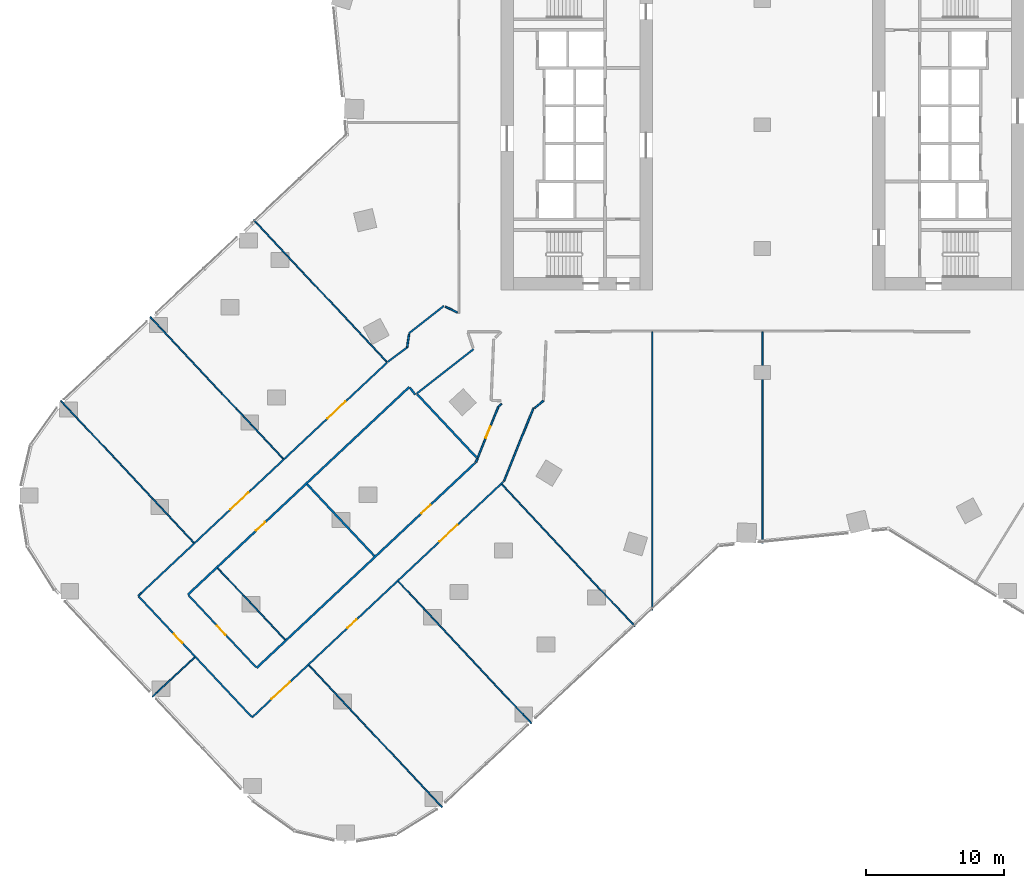
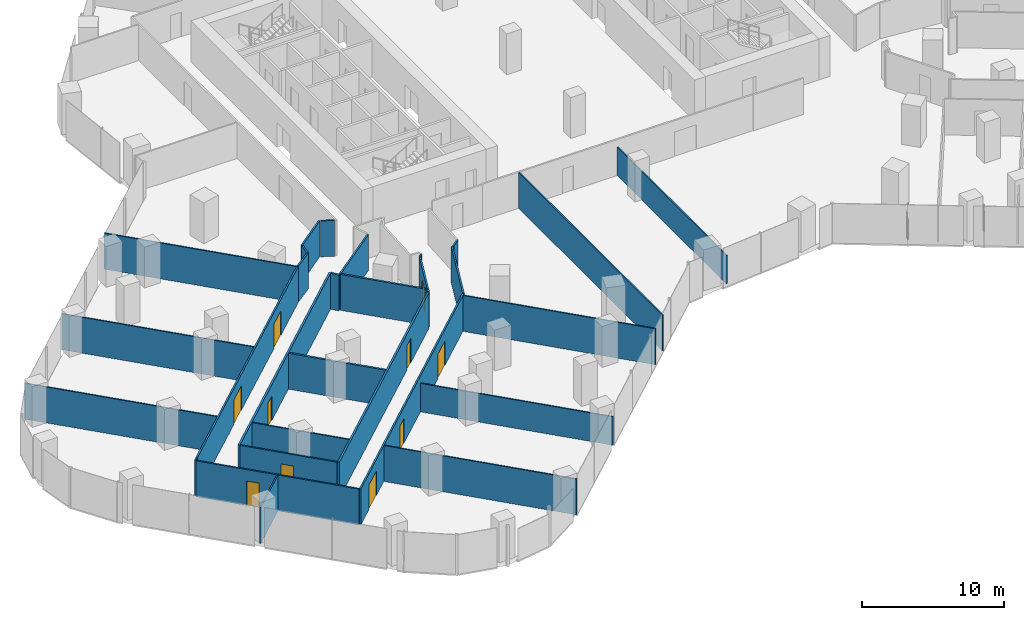
# One storey, part 27 of 33: 30 walls, 10 doors, 10 openings.
"""IFC4 building model written with IfcOpenShell, lengths in metres."""

from ifc_helpers import new_model, si_unit, direction, frame, frame_2d, origin, place, context, subcontext, project, spatial, rectangle, extrude, material, layer, layer_set, type_object, element, fill, save


model = new_model("IFC4")

# Units and contexts
model_context = context("Model", 3, precision=1e-05, world=origin(), true_north=direction((0.0, 1.0)))
body_context = subcontext(model_context, "Body", "Model", "MODEL_VIEW")
ifc_project = project(units=[si_unit("LENGTHUNIT", "METRE"), si_unit("AREAUNIT", "SQUARE_METRE"), si_unit("VOLUMEUNIT", "CUBIC_METRE"), si_unit("PLANEANGLEUNIT", "RADIAN"), si_unit("MASSUNIT", "GRAM", prefix="KILO")], contexts=[model_context])

# Site, building, storey
site_placement = place(None, origin())
site = spatial("IfcSite", under=ifc_project, at=site_placement, CompositionType="ELEMENT")
building_placement = place(site_placement, origin())
building = spatial("IfcBuilding", under=site, at=building_placement, Name="Orlundy Tower", CompositionType="ELEMENT")
storey_placement = place(building_placement, frame((0.0, 0.0, 51.300048828125)))
storey = spatial("IfcBuildingStorey", under=building, at=storey_placement, Name="L11", CompositionType="ELEMENT", Elevation=51.300048828125)

# Walls
ifc_material_1 = material(Name="Gypsum board partition")
ifc_layer_1 = layer(ifc_material_1, 0.10009765625)
ifc_layer_set_1 = layer_set([ifc_layer_1], Name="Floor partition 100")
wall_type_1 = type_object("IfcWallType", Name="Floor partition 100", PredefinedType="PARTITIONING", material=ifc_layer_set_1)
wall_1_placement = place(storey_placement, frame((-50.97900390625, -20.052001953125, 0.0), z_axis=(0.0, 0.0, 1.0), x_axis=(0.684149048077, -0.729342224209, 0.0)))
element("IfcWall", 1, at=wall_1_placement, inside=storey, type_object=wall_type_1, Name="wall-int-L11-007", PredefinedType="PARTITIONING", context=body_context, shape_type="SweptSolid", body=[
    extrude(rectangle(XDim=14.137451171875, YDim=0.10009765625, at=frame_2d((7.06884765625, 0.0))), origin(), (0.0, 0.0, 1.0), 3.079833984375),
])
wall_2_placement = place(storey_placement, frame((-39.570068359375, -32.215087890625, 0.0), z_axis=(0.0, 0.0, 1.0), x_axis=(0.684241001323, -0.729255957884, 0.0)))
element("IfcWall", 2, at=wall_2_placement, inside=storey, type_object=wall_type_1, Name="wall-int-L11-008", PredefinedType="PARTITIONING", context=body_context, shape_type="SweptSolid", body=[
    extrude(rectangle(XDim=7.148193359375, YDim=0.10009765625, at=frame_2d((3.57421875, 0.0))), origin(), (0.0, 0.0, 1.0), 3.079833984375),
])
wall_3_placement = place(storey_placement, frame((-32.943115234375, -39.281005859375, 0.0), z_axis=(0.0, 0.0, 1.0), x_axis=(0.684149048077, -0.729342224209, 0.0)))
element("IfcWall", 3, at=wall_3_placement, inside=storey, type_object=wall_type_1, Name="wall-int-L11-009", PredefinedType="PARTITIONING", context=body_context, shape_type="SweptSolid", body=[
    extrude(rectangle(XDim=14.137451171875, YDim=0.10009765625, at=frame_2d((7.06884765625, 0.0))), origin(), (0.0, 0.0, 1.0), 3.079833984375),
])
wall_4_placement = place(storey_placement, frame((-44.487060546875, -13.962890625, 0.0), z_axis=(0.0, 0.0, 1.0), x_axis=(0.684112301014, -0.729376692526, 0.0)))
element("IfcWall", 4, at=wall_4_placement, inside=storey, type_object=wall_type_1, Name="wall-int-L11-010", PredefinedType="PARTITIONING", context=body_context, shape_type="SweptSolid", body=[
    extrude(rectangle(XDim=14.13671875, YDim=0.10009765625, at=frame_2d((7.068359375, 0.0))), origin(), (0.0, 0.0, 1.0), 3.079833984375),
])
for number, where, z_axis, x_axis, name in (
    (5, (-36.969970703125, -6.912109375, 0.0), (0.0, 0.0, 1.0), (0.684148478852, -0.729342758163, 0.0), "wall-int-L11-013"),
    (6, (-18.93408203125, -26.14111328125, 0.0), (0.0, 0.0, 1.0), (0.684157665042, -0.729334141094, 0.0), "wall-int-L11-015"),
):
    element("IfcWall", number, at=place(storey_placement, frame(where, z_axis=z_axis, x_axis=x_axis)), inside=storey, type_object=wall_type_1, Name=name, PredefinedType="PARTITIONING", context=body_context, shape_type="SweptSolid", body=[
        extrude(rectangle(XDim=14.13720703125, YDim=0.10009765625, at=frame_2d((7.068603515625, 0.0))), origin(), (0.0, 0.0, 1.0), 3.079833984375),
    ])
wall_5_placement = place(storey_placement, frame((-44.30908203125, -41.56103515625, 0.0), z_axis=(0.0, 0.0, 1.0), x_axis=(0.729200696285, 0.684299893715, 0.0)))
element("IfcWall", 7, at=wall_5_placement, inside=storey, type_object=wall_type_1, Name="wall-int-L11-052", PredefinedType="PARTITIONING", context=body_context, shape_type="SweptSolid", body=[
    extrude(rectangle(XDim=4.186767578125, YDim=0.10009765625, at=frame_2d((2.09326171875, 0.0))), origin(), (0.0, 0.0, 1.0), 3.079833984375),
])
wall_6_placement = place(storey_placement, frame((-8.0, -35.26806640625, 0.0), z_axis=(0.0, 0.0, 1.0), x_axis=(0.0, 1.0, 0.0)))
element("IfcWall", 8, at=wall_6_placement, inside=storey, type_object=wall_type_1, Name="wall-int-L11-080", PredefinedType="PARTITIONING", context=body_context, shape_type="SweptSolid", body=[
    extrude(rectangle(XDim=20.205078125, YDim=0.10009765625, at=frame_2d((10.1025390625, 0.0))), origin(), (0.0, 0.0, 1.0), 3.079833984375),
])
ifc_material_2 = material(Name="Gypsum board partition")
ifc_layer_2 = layer(ifc_material_2, 0.10009765625)
ifc_layer_set_2 = layer_set([ifc_layer_2], Name="Floor partition 100 B")
wall_type_2 = type_object("IfcWallType", Name="Floor partition 100 B", PredefinedType="PARTITIONING", material=ifc_layer_set_2)
wall_7_placement = place(storey_placement, frame((-26.450927734375, -33.19189453125, 0.0), z_axis=(0.0, 0.0, 1.0), x_axis=(0.684103113435, -0.729385309825, 0.0)))
element("IfcWall", 9, at=wall_7_placement, inside=storey, type_object=wall_type_2, Name="wall-int-L11-012", PredefinedType="PARTITIONING", context=body_context, shape_type="SweptSolid", body=[
    extrude(rectangle(XDim=14.13671875, YDim=0.10009765625, at=frame_2d((7.068359375, 0.0))), origin(), (0.0, 0.0, 1.0), 2.445068359375),
])
wall_8_placement = place(storey_placement, frame((0.0, -30.39794921875, 0.0), z_axis=(0.0, 0.0, 1.0), x_axis=(0.0, 1.0, 0.0)))
element("IfcWall", 10, at=wall_8_placement, inside=storey, type_object=wall_type_2, Name="wall-int-L11-078", PredefinedType="PARTITIONING", context=body_context, shape_type="SweptSolid", body=[
    extrude(rectangle(XDim=15.3349609375, YDim=0.10009765625, at=frame_2d((7.66748046875, 0.0))), origin(), (0.0, 0.0, 1.0), 2.445068359375),
])
ifc_material_3 = material(Name="Gypsum board partition, double layer")
ifc_layer_3 = layer(ifc_material_3, 0.125)
ifc_layer_set_3 = layer_set([ifc_layer_3], Name="Floor partition 125")
wall_type_3 = type_object("IfcWallType", Name="Floor partition 125", PredefinedType="PARTITIONING", material=ifc_layer_set_3)
wall_9_placement = place(storey_placement, frame((-25.672119140625, -15.23291015625, 0.0), z_axis=(0.0, 0.0, 1.0), x_axis=(-0.142523859518, -0.989791366636, 0.0)))
element("IfcWall", 11, at=wall_9_placement, inside=storey, type_object=wall_type_3, Name="wall-int-L11-002", PredefinedType="PARTITIONING", context=body_context, shape_type="SweptSolid", body=[
    extrude(rectangle(XDim=0.9609375, YDim=0.125, at=frame_2d((0.48046875, 0.0))), origin(), (0.0, 0.0, 1.0), 3.079833984375),
])

# Wall, opening, door
wall_10_placement = place(storey_placement, frame((-37.10107421875, -43.031982421875, 0.0), z_axis=(0.0, 0.0, 1.0), x_axis=(-0.684230259848, 0.729266036168, 0.0)))
wall_10 = element("IfcWall", 12, at=wall_10_placement, inside=storey, type_object=wall_type_3, Name="wall-int-L11-005", PredefinedType="PARTITIONING", context=body_context, shape_type="SweptSolid", body=[
    extrude(rectangle(XDim=11.991455078125, YDim=0.125, at=frame_2d((5.99560546875, 0.0))), origin(), (0.0, 0.0, 1.0), 3.079833984375),
])
opening_1_placement = place(wall_10_placement, frame((7.35498046875, 0.0, 0.0)))
opening_1 = element("IfcOpeningElement", 13, at=opening_1_placement, cuts=wall_10, Name="Opening 10117", PredefinedType="OPENING", context=body_context, shape_type="SweptSolid", body=[
    extrude(rectangle(XDim=0.89990234375, YDim=2.10009765625, at=frame_2d((0.449951171875, 1.050048828125))), frame((0.0, 0.072509765625, 0.0), z_axis=(0.0, -1.0, 0.0), x_axis=(1.0, 0.0, 0.0)), (0.0, 0.0, 1.0), 0.14501953125),
])
ifc_material_4 = material(Name="Timber door leaf", Category="wood")
door_type_1 = type_object("IfcDoorType", Name="Floor door single 900 FD30S", OperationType="NOTDEFINED", PredefinedType="DOOR", material=ifc_material_4)
door_1_placement = place(opening_1_placement, origin())
door_1 = element("IfcDoor", 14, at=door_1_placement, inside=storey, type_object=door_type_1, Name="Door 10117", OperationType="SINGLE_SWING_RIGHT", OverallHeight=2.10009765625, OverallWidth=0.89990234375, PredefinedType="DOOR", context=body_context, shape_type="SweptSolid", body=[
    extrude(rectangle(XDim=0.89990234375, YDim=2.10009765625, at=frame_2d((0.449951171875, 1.050048828125))), frame((0.0, 0.02490234375, 0.0), z_axis=(0.0, -1.0, 0.0), x_axis=(1.0, 0.0, 0.0)), (0.0, 0.0, 1.0), 0.050048828125),
])
fill(opening_1, door_1)

wall_11_placement = place(storey_placement, frame((-41.68505859375, -34.198974609375, 0.0), z_axis=(0.0, 0.0, 1.0), x_axis=(0.68422395917, -0.729271947697, 0.0)))
wall_11 = element("IfcWall", 15, at=wall_11_placement, inside=storey, type_object=wall_type_3, Name="wall-int-L11-006", PredefinedType="PARTITIONING", context=body_context, shape_type="SweptSolid", body=[
    extrude(rectangle(XDim=7.1484375, YDim=0.125, at=frame_2d((3.57421875, 0.0))), origin(), (0.0, 0.0, 1.0), 3.079833984375),
])
opening_2_placement = place(wall_11_placement, frame((3.02490234375, 0.0, 0.0)))
opening_2 = element("IfcOpeningElement", 16, at=opening_2_placement, cuts=wall_11, Name="Opening 10115", PredefinedType="OPENING", context=body_context, shape_type="SweptSolid", body=[
    extrude(rectangle(XDim=0.89990234375, YDim=2.10009765625, at=frame_2d((0.449951171875, 1.050048828125))), frame((0.0, 0.072509765625, 0.0), z_axis=(0.0, -1.0, 0.0), x_axis=(1.0, 0.0, 0.0)), (0.0, 0.0, 1.0), 0.14501953125),
])
door_2_placement = place(opening_2_placement, origin())
door_2 = element("IfcDoor", 17, at=door_2_placement, inside=storey, type_object=door_type_1, Name="Door 10115", OperationType="SINGLE_SWING_LEFT", OverallHeight=2.10009765625, OverallWidth=0.89990234375, PredefinedType="DOOR", context=body_context, shape_type="SweptSolid", body=[
    extrude(rectangle(XDim=0.89990234375, YDim=2.10009765625, at=frame_2d((0.449951171875, 1.050048828125))), frame((0.0, 0.02490234375, 0.0), z_axis=(0.0, -1.0, 0.0), x_axis=(1.0, 0.0, 0.0)), (0.0, 0.0, 1.0), 0.050048828125),
])
fill(opening_2, door_2)

# Walls
wall_12_placement = place(storey_placement, frame((-23.033935546875, -13.218017578125, 0.0), z_axis=(0.0, 0.0, 1.0), x_axis=(0.898277364267, -0.439428921267, 0.0)))
element("IfcWall", 18, at=wall_12_placement, inside=storey, type_object=wall_type_3, Name="wall-int-L11-025", PredefinedType="PARTITIONING", context=body_context, shape_type="SweptSolid", body=[
    extrude(rectangle(XDim=0.980712890625, YDim=0.125, at=frame_2d((0.490234375, 0.0))), origin(), (0.0, 0.0, 1.0), 3.079833984375),
])
wall_13_placement = place(storey_placement, frame((-16.5390625, -20.5810546875, 0.0), z_axis=(0.0, 0.0, 1.0), x_axis=(0.771202229891, 0.636590229748, 0.0)))
element("IfcWall", 19, at=wall_13_placement, inside=storey, type_object=wall_type_3, Name="wall-int-L11-028", PredefinedType="PARTITIONING", context=body_context, shape_type="SweptSolid", body=[
    extrude(rectangle(XDim=0.823486328125, YDim=0.125, at=frame_2d((0.41162109375, 0.0))), origin(), (0.0, 0.0, 1.0), 3.079833984375),
])
wall_14_placement = place(storey_placement, frame((-25.80908203125, -16.18408203125, 0.0), z_axis=(0.0, 0.0, 1.0), x_axis=(-0.802084274436, -0.597210864522, 0.0)))
element("IfcWall", 20, at=wall_14_placement, inside=storey, type_object=wall_type_3, Name="wall-int-L11-044", PredefinedType="PARTITIONING", context=body_context, shape_type="SweptSolid", body=[
    extrude(rectangle(XDim=1.7529296875, YDim=0.125, at=frame_2d((0.87646484375, 0.0))), origin(), (0.0, 0.0, 1.0), 3.079833984375),
])
wall_15_placement = place(storey_placement, frame((-20.986083984375, -16.31103515625, 0.0), z_axis=(0.0, 0.0, 1.0), x_axis=(-0.787889650509, -0.615816448807, 0.0)))
element("IfcWall", 21, at=wall_15_placement, inside=storey, type_object=wall_type_3, Name="wall-int-L11-046", PredefinedType="PARTITIONING", context=body_context, shape_type="SweptSolid", body=[
    extrude(rectangle(XDim=5.248291015625, YDim=0.125, at=frame_2d((2.6240234375, 0.0))), origin(), (0.0, 0.0, 1.0), 3.079833984375),
])
wall_16_placement = place(storey_placement, frame((-23.135986328125, -13.166015625, 0.0), z_axis=(0.0, 0.0, 1.0), x_axis=(-0.787076551365, -0.616855333358, 0.0)))
element("IfcWall", 22, at=wall_16_placement, inside=storey, type_object=wall_type_3, Name="wall-int-L11-047", PredefinedType="PARTITIONING", context=body_context, shape_type="SweptSolid", body=[
    extrude(rectangle(XDim=3.260009765625, YDim=0.125, at=frame_2d((1.6298828125, 0.0))), origin(), (0.0, 0.0, 1.0), 3.079833984375),
])
wall_17_placement = place(storey_placement, frame((-19.180908203125, -20.490966796875, 0.0), z_axis=(0.0, 0.0, 1.0), x_axis=(0.734655808159, 0.678440007325, 0.0)))
element("IfcWall", 23, at=wall_17_placement, inside=storey, type_object=wall_type_3, Name="wall-int-L11-048", PredefinedType="PARTITIONING", context=body_context, shape_type="SweptSolid", body=[
    extrude(rectangle(XDim=0.317138671875, YDim=0.125, at=frame_2d((0.15869140625, 0.0))), origin(), (0.0, 0.0, 1.0), 3.079833984375),
])
wall_18_placement = place(storey_placement, frame((-45.34912109375, -34.239990234375, 0.0), z_axis=(0.0, 0.0, 1.0), x_axis=(0.730297588588, 0.683129147455, 0.0)))
element("IfcWall", 24, at=wall_18_placement, inside=storey, type_object=wall_type_3, Name="wall-int-L11-049", PredefinedType="PARTITIONING", context=body_context, shape_type="SweptSolid", body=[
    extrude(rectangle(XDim=0.30029296875, YDim=0.125, at=frame_2d((0.150146484375, 0.0))), origin(), (0.0, 0.0, 1.0), 3.079833984375),
])

# Wall, openings, doors
wall_19_placement = place(storey_placement, frame((-18.830078125, -25.9560546875, 0.0), z_axis=(0.0, 0.0, 1.0), x_axis=(-0.729340205708, -0.684151199909, 0.0)))
wall_19 = element("IfcWall", 25, at=wall_19_placement, inside=storey, type_object=wall_type_3, Name="wall-int-L11-050", PredefinedType="PARTITIONING", context=body_context, shape_type="SweptSolid", body=[
    extrude(rectangle(XDim=25.0087890625, YDim=0.125, at=frame_2d((12.50439453125, 0.0))), origin(), (0.0, 0.0, 1.0), 3.079833984375),
])
opening_3_placement = place(wall_19_placement, frame((4.552734375, 0.0, 0.0)))
opening_3 = element("IfcOpeningElement", 26, at=opening_3_placement, cuts=wall_19, Name="Opening 10111", PredefinedType="OPENING", context=body_context, shape_type="SweptSolid", body=[
    extrude(rectangle(XDim=1.800048828125, YDim=2.10009765625, at=frame_2d((0.89990234375, 1.050048828125))), frame((0.0, 0.072509765625, 0.0), z_axis=(0.0, -1.0, 0.0), x_axis=(1.0, 0.0, 0.0)), (0.0, 0.0, 1.0), 0.14501953125),
])
opening_4_placement = place(wall_19_placement, frame((14.609130859375, 0.0, 0.0)))
opening_4 = element("IfcOpeningElement", 27, at=opening_4_placement, cuts=wall_19, Name="Opening 10112", PredefinedType="OPENING", context=body_context, shape_type="SweptSolid", body=[
    extrude(rectangle(XDim=0.89990234375, YDim=2.10009765625, at=frame_2d((0.449951171875, 1.050048828125))), frame((0.0, 0.072509765625, 0.0), z_axis=(0.0, -1.0, 0.0), x_axis=(1.0, 0.0, 0.0)), (0.0, 0.0, 1.0), 0.14501953125),
])
opening_5_placement = place(wall_19_placement, frame((21.260009765625, 0.0, 0.0)))
opening_5 = element("IfcOpeningElement", 28, at=opening_5_placement, cuts=wall_19, Name="Opening 10116", PredefinedType="OPENING", context=body_context, shape_type="SweptSolid", body=[
    extrude(rectangle(XDim=1.800048828125, YDim=2.10009765625, at=frame_2d((0.89990234375, 1.050048828125))), frame((0.0, 0.072509765625, 0.0), z_axis=(0.0, -1.0, 0.0), x_axis=(1.0, 0.0, 0.0)), (0.0, 0.0, 1.0), 0.14501953125),
])
ifc_material_5 = material(Name="Timber door leaf", Category="wood")
door_type_2 = type_object("IfcDoorType", Name="Floor door double 1800 FD30S", OperationType="NOTDEFINED", PredefinedType="DOOR", material=ifc_material_5)
door_3_placement = place(opening_3_placement, origin())
door_3 = element("IfcDoor", 29, at=door_3_placement, inside=storey, type_object=door_type_2, Name="Door 10111", OperationType="DOUBLE_DOOR_SINGLE_SWING", OverallHeight=2.10009765625, OverallWidth=1.800048828125, PredefinedType="DOOR", context=body_context, shape_type="SweptSolid", body=[
    extrude(rectangle(XDim=1.800048828125, YDim=2.10009765625, at=frame_2d((0.89990234375, 1.050048828125))), frame((0.0, 0.02490234375, 0.0), z_axis=(0.0, -1.0, 0.0), x_axis=(1.0, 0.0, 0.0)), (0.0, 0.0, 1.0), 0.050048828125),
])
fill(opening_3, door_3)
door_4_placement = place(opening_5_placement, origin())
door_4 = element("IfcDoor", 30, at=door_4_placement, inside=storey, type_object=door_type_2, Name="Door 10116", OperationType="DOUBLE_DOOR_SINGLE_SWING", OverallHeight=2.10009765625, OverallWidth=1.800048828125, PredefinedType="DOOR", context=body_context, shape_type="SweptSolid", body=[
    extrude(rectangle(XDim=1.800048828125, YDim=2.10009765625, at=frame_2d((0.89990234375, 1.050048828125))), frame((0.0, 0.02490234375, 0.0), z_axis=(0.0, -1.0, 0.0), x_axis=(1.0, 0.0, 0.0)), (0.0, 0.0, 1.0), 0.050048828125),
])
fill(opening_5, door_4)
door_5_placement = place(opening_4_placement, origin())
door_5 = element("IfcDoor", 31, at=door_5_placement, inside=storey, type_object=door_type_1, Name="Door 10112", OperationType="SINGLE_SWING_RIGHT", OverallHeight=2.10009765625, OverallWidth=0.89990234375, PredefinedType="DOOR", context=body_context, shape_type="SweptSolid", body=[
    extrude(rectangle(XDim=0.89990234375, YDim=2.10009765625, at=frame_2d((0.449951171875, 1.050048828125))), frame((0.0, 0.02490234375, 0.0), z_axis=(0.0, -1.0, 0.0), x_axis=(1.0, 0.0, 0.0)), (0.0, 0.0, 1.0), 0.050048828125),
])
fill(opening_4, door_5)

wall_20_placement = place(storey_placement, frame((-45.1298828125, -34.034912109375, 0.0), z_axis=(0.0, 0.0, 1.0), x_axis=(0.729450212829, 0.684033907788, 0.0)))
wall_20 = element("IfcWall", 32, at=wall_20_placement, inside=storey, type_object=wall_type_3, Name="wall-int-L11-054", PredefinedType="PARTITIONING", context=body_context, shape_type="SweptSolid", body=[
    extrude(rectangle(XDim=24.50732421875, YDim=0.125, at=frame_2d((12.253662109375, 0.0))), origin(), (0.0, 0.0, 1.0), 3.079833984375),
])
opening_6_placement = place(wall_20_placement, frame((18.55029296875, 0.0, 0.0)))
opening_6 = element("IfcOpeningElement", 33, at=opening_6_placement, cuts=wall_20, Name="Opening 10118", PredefinedType="OPENING", context=body_context, shape_type="SweptSolid", body=[
    extrude(rectangle(XDim=1.800048828125, YDim=2.10009765625, at=frame_2d((0.89990234375, 1.050048828125))), frame((0.0, 0.072509765625, 0.0), z_axis=(0.0, -1.0, 0.0), x_axis=(1.0, 0.0, 0.0)), (0.0, 0.0, 1.0), 0.14501953125),
])
opening_7_placement = place(wall_20_placement, frame((8.900390625, 0.0, 0.0)))
opening_7 = element("IfcOpeningElement", 34, at=opening_7_placement, cuts=wall_20, Name="Opening 10119", PredefinedType="OPENING", context=body_context, shape_type="SweptSolid", body=[
    extrude(rectangle(XDim=1.800048828125, YDim=2.10009765625, at=frame_2d((0.89990234375, 1.050048828125))), frame((0.0, 0.072509765625, 0.0), z_axis=(0.0, -1.0, 0.0), x_axis=(1.0, 0.0, 0.0)), (0.0, 0.0, 1.0), 0.14501953125),
])
door_6_placement = place(opening_6_placement, origin())
door_6 = element("IfcDoor", 35, at=door_6_placement, inside=storey, type_object=door_type_2, Name="Door 10118", OperationType="DOUBLE_DOOR_SINGLE_SWING", OverallHeight=2.10009765625, OverallWidth=1.800048828125, PredefinedType="DOOR", context=body_context, shape_type="SweptSolid", body=[
    extrude(rectangle(XDim=1.800048828125, YDim=2.10009765625, at=frame_2d((0.89990234375, 1.050048828125))), frame((0.0, 0.02490234375, 0.0), z_axis=(0.0, -1.0, 0.0), x_axis=(1.0, 0.0, 0.0)), (0.0, 0.0, 1.0), 0.050048828125),
])
fill(opening_6, door_6)
door_7_placement = place(opening_7_placement, origin())
door_7 = element("IfcDoor", 36, at=door_7_placement, inside=storey, type_object=door_type_2, Name="Door 10119", OperationType="DOUBLE_DOOR_SINGLE_SWING", OverallHeight=2.10009765625, OverallWidth=1.800048828125, PredefinedType="DOOR", context=body_context, shape_type="SweptSolid", body=[
    extrude(rectangle(XDim=1.800048828125, YDim=2.10009765625, at=frame_2d((0.89990234375, 1.050048828125))), frame((0.0, 0.02490234375, 0.0), z_axis=(0.0, -1.0, 0.0), x_axis=(1.0, 0.0, 0.0)), (0.0, 0.0, 1.0), 0.050048828125),
])
fill(opening_7, door_7)

# Wall
wall_21_placement = place(storey_placement, frame((-18.783935546875, -25.9140625, 0.0), z_axis=(0.0, 0.0, 1.0), x_axis=(0.374700754386, 0.927145805504, 0.0)))
element("IfcWall", 37, at=wall_21_placement, inside=storey, type_object=wall_type_3, Name="wall-int-L11-069", PredefinedType="PARTITIONING", context=body_context, shape_type="SweptSolid", body=[
    extrude(rectangle(XDim=5.756591796875, YDim=0.125, at=frame_2d((2.87841796875, 0.0))), origin(), (0.0, 0.0, 1.0), 3.079833984375),
])

# Wall, opening, door
wall_22_placement = place(storey_placement, frame((-20.702880859375, -24.2548828125, 0.0), z_axis=(0.0, 0.0, 1.0), x_axis=(0.374955263634, 0.927042906382, 0.0)))
wall_22 = element("IfcWall", 38, at=wall_22_placement, inside=storey, type_object=wall_type_3, Name="wall-int-L11-070", PredefinedType="PARTITIONING", context=body_context, shape_type="SweptSolid", body=[
    extrude(rectangle(XDim=4.05908203125, YDim=0.125, at=frame_2d((2.029541015625, 0.0))), origin(), (0.0, 0.0, 1.0), 3.079833984375),
])
opening_8_placement = place(wall_22_placement, frame((1.60009765625, 0.0, 0.0)))
opening_8 = element("IfcOpeningElement", 39, at=opening_8_placement, cuts=wall_22, Name="Opening 10121", PredefinedType="OPENING", context=body_context, shape_type="SweptSolid", body=[
    extrude(rectangle(XDim=0.89990234375, YDim=2.10009765625, at=frame_2d((0.449951171875, 1.050048828125))), frame((0.0, 0.072509765625, 0.0), z_axis=(0.0, -1.0, 0.0), x_axis=(1.0, 0.0, 0.0)), (0.0, 0.0, 1.0), 0.14501953125),
])
door_8_placement = place(opening_8_placement, origin())
door_8 = element("IfcDoor", 40, at=door_8_placement, inside=storey, type_object=door_type_1, Name="Door 10121", OperationType="SINGLE_SWING_RIGHT", OverallHeight=2.10009765625, OverallWidth=0.89990234375, PredefinedType="DOOR", context=body_context, shape_type="SweptSolid", body=[
    extrude(rectangle(XDim=0.89990234375, YDim=2.10009765625, at=frame_2d((0.449951171875, 1.050048828125))), frame((0.0, 0.02490234375, 0.0), z_axis=(0.0, -1.0, 0.0), x_axis=(1.0, 0.0, 0.0)), (0.0, 0.0, 1.0), 0.050048828125),
])
fill(opening_8, door_8)

# Walls
ifc_material_6 = material(Name="Blockwork shaft wall", Category="masonry")
ifc_layer_4 = layer(ifc_material_6, 0.14990234375)
ifc_layer_set_4 = layer_set([ifc_layer_4], Name="Floor shaft wall 150")
wall_type_4 = type_object("IfcWallType", Name="Floor shaft wall 150", PredefinedType="PARTITIONING", material=ifc_layer_set_4)
wall_23_placement = place(storey_placement, frame((-25.60693359375, -19.116943359375, 0.0), z_axis=(0.0, 0.0, 1.0), x_axis=(0.613435225839, -0.789745037148, 0.0)))
element("IfcWall", 41, at=wall_23_placement, inside=storey, type_object=wall_type_4, Name="wall-int-L11-004", PredefinedType="PARTITIONING", context=body_context, shape_type="SweptSolid", body=[
    extrude(rectangle(XDim=0.635498046875, YDim=0.14990234375, at=frame_2d((0.31787109375, 0.0))), origin(), (0.0, 0.0, 1.0), 3.079833984375),
])
wall_24_placement = place(storey_placement, frame((-33.0791015625, -26.1259765625, 0.0), z_axis=(0.0, 0.0, 1.0), x_axis=(0.684155795313, -0.729335895003, 0.0)))
element("IfcWall", 42, at=wall_24_placement, inside=storey, type_object=wall_type_4, Name="wall-int-L11-011", PredefinedType="PARTITIONING", context=body_context, shape_type="SweptSolid", body=[
    extrude(rectangle(XDim=7.149169921875, YDim=0.14990234375, at=frame_2d((3.57470703125, 0.0))), origin(), (0.0, 0.0, 1.0), 3.079833984375),
])
wall_25_placement = place(storey_placement, frame((-25.077880859375, -19.590087890625, 0.0), z_axis=(0.0, 0.0, 1.0), x_axis=(0.684131264462, -0.729358905468, 0.0)))
element("IfcWall", 43, at=wall_25_placement, inside=storey, type_object=wall_type_4, Name="wall-int-L11-014", PredefinedType="PARTITIONING", context=body_context, shape_type="SweptSolid", body=[
    extrude(rectangle(XDim=6.27783203125, YDim=0.14990234375, at=frame_2d((3.138916015625, 0.0))), origin(), (0.0, 0.0, 1.0), 3.079833984375),
])

# Wall, opening, door
wall_26_placement = place(storey_placement, frame((-36.742919921875, -39.467041015625, 0.0), z_axis=(0.0, 0.0, 1.0), x_axis=(0.729324503449, 0.684167938936, 0.0)))
wall_26 = element("IfcWall", 44, at=wall_26_placement, inside=storey, type_object=wall_type_4, Name="wall-int-L11-051", PredefinedType="PARTITIONING", context=body_context, shape_type="SweptSolid", body=[
    extrude(rectangle(XDim=21.7666015625, YDim=0.14990234375, at=frame_2d((10.88330078125, 0.0))), origin(), (0.0, 0.0, 1.0), 3.079833984375),
])
opening_9_placement = place(wall_26_placement, frame((16.399169921875, 0.0, 0.0)))
opening_9 = element("IfcOpeningElement", 45, at=opening_9_placement, cuts=wall_26, Name="Opening 10113", PredefinedType="OPENING", context=body_context, shape_type="SweptSolid", body=[
    extrude(rectangle(XDim=0.89990234375, YDim=2.10009765625, at=frame_2d((0.449951171875, 1.050048828125))), frame((0.0, 0.0849609375, 0.0), z_axis=(0.0, -1.0, 0.0), x_axis=(1.0, 0.0, 0.0)), (0.0, 0.0, 1.0), 0.169921875),
])
ifc_material_7 = material(Name="Timber door leaf", Category="wood")
door_type_3 = type_object("IfcDoorType", Name="Floor door single 900 FD60", OperationType="NOTDEFINED", PredefinedType="DOOR", material=ifc_material_7)
door_9_placement = place(opening_9_placement, origin())
door_9 = element("IfcDoor", 46, at=door_9_placement, inside=storey, type_object=door_type_3, Name="Door 10113", OperationType="SINGLE_SWING_RIGHT", OverallHeight=2.10009765625, OverallWidth=0.89990234375, PredefinedType="DOOR", context=body_context, shape_type="SweptSolid", body=[
    extrude(rectangle(XDim=0.89990234375, YDim=2.10009765625, at=frame_2d((0.449951171875, 1.050048828125))), frame((0.0, 0.02490234375, 0.0), z_axis=(0.0, -1.0, 0.0), x_axis=(1.0, 0.0, 0.0)), (0.0, 0.0, 1.0), 0.050048828125),
])
fill(opening_9, door_9)

wall_27_placement = place(storey_placement, frame((-25.654052734375, -19.05810546875, 0.0), z_axis=(0.0, 0.0, 1.0), x_axis=(-0.729332765971, -0.684159130964, 0.0)))
wall_27 = element("IfcWall", 47, at=wall_27_placement, inside=storey, type_object=wall_type_4, Name="wall-int-L11-053", PredefinedType="PARTITIONING", context=body_context, shape_type="SweptSolid", body=[
    extrude(rectangle(XDim=22.05029296875, YDim=0.14990234375, at=frame_2d((11.025146484375, 0.0))), origin(), (0.0, 0.0, 1.0), 3.079833984375),
])
opening_10_placement = place(wall_27_placement, frame((14.35107421875, 0.0, 0.0)))
opening_10 = element("IfcOpeningElement", 48, at=opening_10_placement, cuts=wall_27, Name="Opening 10114", PredefinedType="OPENING", context=body_context, shape_type="SweptSolid", body=[
    extrude(rectangle(XDim=0.89990234375, YDim=2.10009765625, at=frame_2d((0.449951171875, 1.050048828125))), frame((0.0, 0.0849609375, 0.0), z_axis=(0.0, -1.0, 0.0), x_axis=(1.0, 0.0, 0.0)), (0.0, 0.0, 1.0), 0.169921875),
])
door_10_placement = place(opening_10_placement, origin())
door_10 = element("IfcDoor", 49, at=door_10_placement, inside=storey, type_object=door_type_3, Name="Door 10114", OperationType="SINGLE_SWING_RIGHT", OverallHeight=2.10009765625, OverallWidth=0.89990234375, PredefinedType="DOOR", context=body_context, shape_type="SweptSolid", body=[
    extrude(rectangle(XDim=0.89990234375, YDim=2.10009765625, at=frame_2d((0.449951171875, 1.050048828125))), frame((0.0, 0.02490234375, 0.0), z_axis=(0.0, -1.0, 0.0), x_axis=(1.0, 0.0, 0.0)), (0.0, 0.0, 1.0), 0.050048828125),
])
fill(opening_10, door_10)

# Wall
wall_28_placement = place(storey_placement, frame((-20.81201171875, -24.52490234375, 0.0), z_axis=(0.0, 0.0, 1.0), x_axis=(0.374712521876, 0.927141049652, 0.0)))
element("IfcWall", 50, at=wall_28_placement, inside=storey, type_object=wall_type_4, Name="wall-int-L11-071", PredefinedType="PARTITIONING", context=body_context, shape_type="SweptSolid", body=[
    extrude(rectangle(XDim=0.291259765625, YDim=0.14990234375, at=frame_2d((0.1455078125, 0.0))), origin(), (0.0, 0.0, 1.0), 3.079833984375),
])

save(model, "model.ifc")
